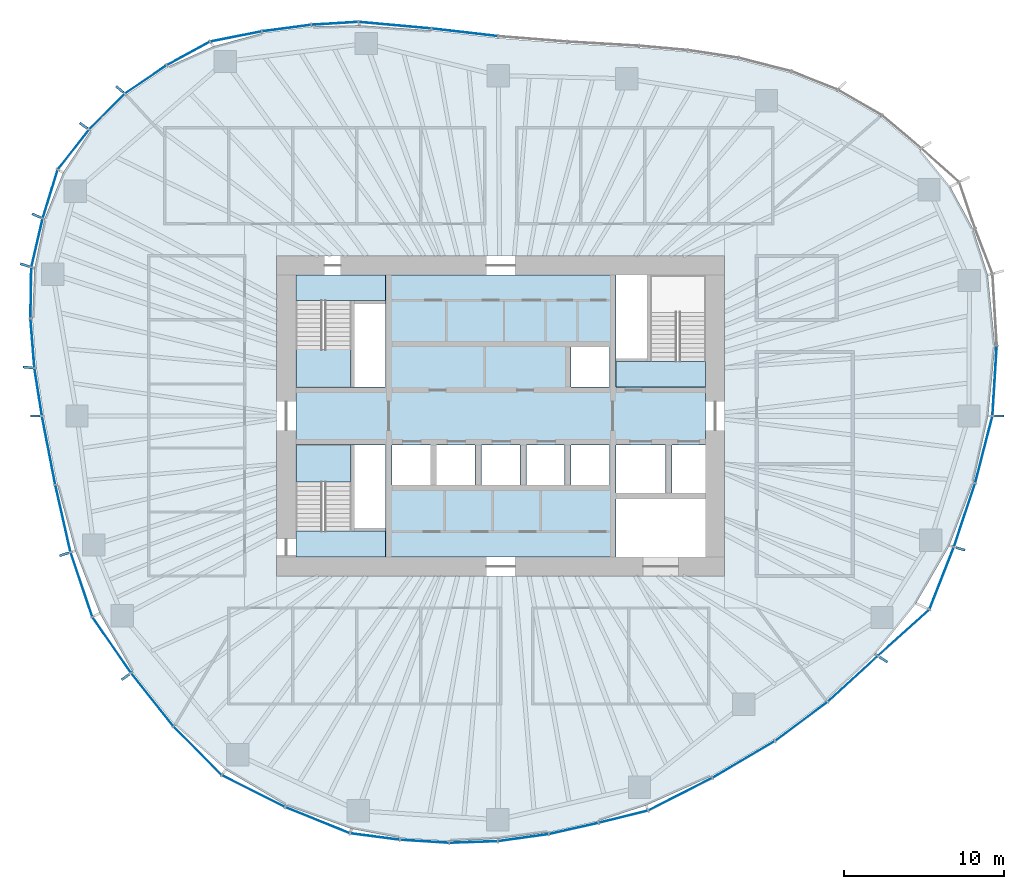
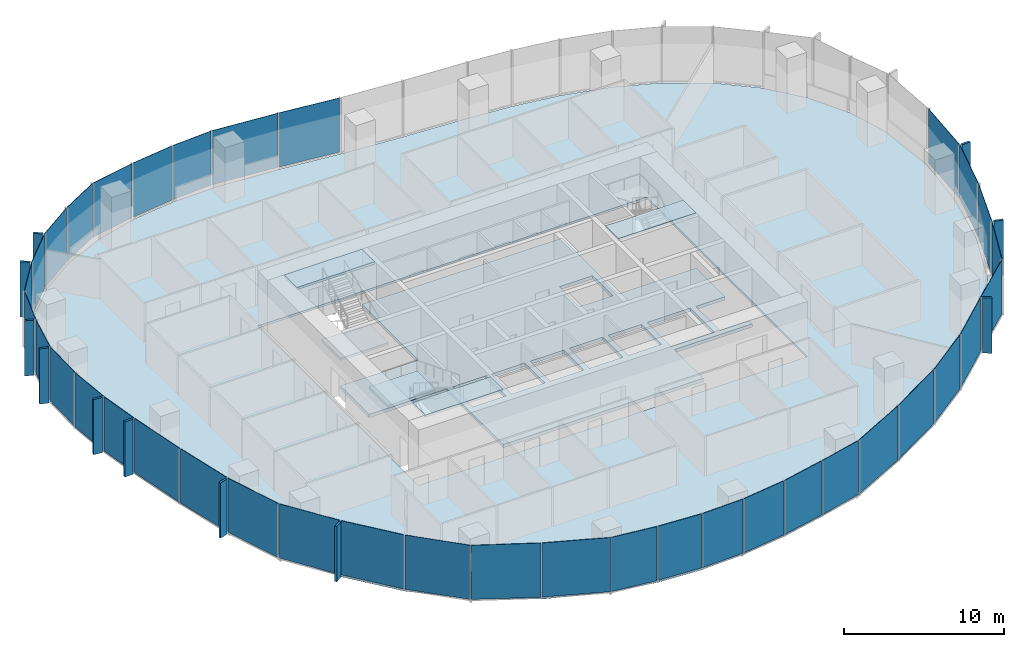
# One storey, part 7 of 18: 48 plates, 7 slabs, 19 elements without a shape of their own.
"""IFC4 building model written with IfcOpenShell, lengths in metres."""

from ifc_helpers import new_model, si_unit, direction, frame, origin, origin_2d, place, context, subcontext, project, spatial, polyline, rectangle, outline, extrude, material, layer, layer_set, type_object, element, aggregate, save


model = new_model("IFC4")

# Units and contexts
model_context = context("Model", 3, precision=1e-05, world=origin(), true_north=direction((0.0, 1.0)))
body_context = subcontext(model_context, "Body", "Model", "MODEL_VIEW")
ifc_project = project(units=[si_unit("LENGTHUNIT", "METRE"), si_unit("AREAUNIT", "SQUARE_METRE"), si_unit("VOLUMEUNIT", "CUBIC_METRE"), si_unit("PLANEANGLEUNIT", "RADIAN"), si_unit("MASSUNIT", "GRAM", prefix="KILO")], contexts=[model_context])

# Site, building, storey
site_placement = place(None, origin())
site = spatial("IfcSite", under=ifc_project, at=site_placement, CompositionType="ELEMENT")
building_placement = place(site_placement, origin())
building = spatial("IfcBuilding", under=site, at=building_placement, Name="Ghaith Harvest Tower", CompositionType="ELEMENT")
storey_placement = place(building_placement, frame((0.0, 0.0, 172.199951171875)))
storey = spatial("IfcBuildingStorey", under=building, at=storey_placement, Name="L37", CompositionType="ELEMENT", Elevation=172.199951171875)

# Curtain wall, plate
ifc_material_1 = material(Name="Black anodised aluminium and fritted glass", Category="aluminium")
curtain_wall_type = type_object("IfcCurtainWallType", Name="CW-L CURTAIN WALL", PredefinedType="NOTDEFINED", material=ifc_material_1)
curtain_wall_1_placement = place(storey_placement, origin())
curtain_wall_1 = element("IfcCurtainWall", 1, at=curtain_wall_1_placement, inside=storey, type_object=curtain_wall_type, Name="Curtain wall CW-L bay 01 L37", PredefinedType="NOTDEFINED")
ifc_material_2 = material(Name="Glass, dark solar-control fritted double glazed unit", Category="glass")
ifc_layer_1 = layer(ifc_material_2, 0.031982421875)
ifc_layer_set_1 = layer_set([ifc_layer_1], Name="CW-L VISION PANEL")
plate_type_1 = type_object("IfcPlateType", Name="CW-L VISION PANEL", PredefinedType="CURTAIN_PANEL", material=ifc_layer_set_1)
plate_1_placement = place(storey_placement, frame((30.86376953125, 2.19482421875, 0.080078125), z_axis=(0.0, 0.0, 1.0), x_axis=(0.061379619468, 0.99811449359, 0.0)))
plate_1 = element("IfcPlate", 2, at=plate_1_placement, type_object=plate_type_1, Name="CW-L glass unit 1 bay 01 L37", PredefinedType="CURTAIN_PANEL", context=body_context, shape_type="SweptSolid", body=[
    extrude(rectangle(XDim=4.318115234375, YDim=0.031982421875, at=origin_2d()), origin(), (0.0, 0.0, 1.0), 4.1201171875),
])
aggregate(curtain_wall_1, [plate_1])

# Curtain wall, plates
curtain_wall_2_placement = place(storey_placement, origin())
curtain_wall_2 = element("IfcCurtainWall", 3, at=curtain_wall_2_placement, inside=storey, type_object=curtain_wall_type, Name="Curtain wall CW-L bay 06 L37", PredefinedType="NOTDEFINED")
plate_2_placement = place(storey_placement, frame((-2.24267578125, 23.968505859375, 0.080078125), z_axis=(0.0, 0.0, 1.0), x_axis=(-0.993477024646, 0.114032458099, 0.0)))
plate_2 = element("IfcPlate", 4, at=plate_2_placement, type_object=plate_type_1, Name="CW-L glass unit 1 bay 06 L37", PredefinedType="CURTAIN_PANEL", context=body_context, shape_type="SweptSolid", body=[
    extrude(rectangle(XDim=4.10791015625, YDim=0.031982421875, at=origin_2d()), origin(), (0.0, 0.0, 1.0), 4.1201171875),
])
plate_3_placement = place(storey_placement, frame((-6.607666015625, 24.4140625, 0.080078125), z_axis=(0.0, 0.0, 1.0), x_axis=(-0.995928776302, 0.090143621701, 0.0)))
plate_3 = element("IfcPlate", 5, at=plate_3_placement, type_object=plate_type_1, Name="CW-L glass unit 2 bay 06 L37", PredefinedType="CURTAIN_PANEL", context=body_context, shape_type="SweptSolid", body=[
    extrude(rectangle(XDim=4.508056640625, YDim=0.031982421875, at=origin_2d()), origin(), (0.0, 0.0, 1.0), 4.1201171875),
])
aggregate(curtain_wall_2, [plate_2, plate_3])

curtain_wall_3_placement = place(storey_placement, origin())
curtain_wall_3 = element("IfcCurtainWall", 6, at=curtain_wall_3_placement, inside=storey, type_object=curtain_wall_type, Name="Curtain wall CW-L bay 07 L37", PredefinedType="NOTDEFINED")
plate_4_placement = place(storey_placement, frame((-10.36669921875, 24.5302734375, 0.080078125), z_axis=(0.0, 0.0, 1.0), x_axis=(-0.998119199641, -0.061303044853, 0.0)))
plate_4 = element("IfcPlate", 7, at=plate_4_placement, type_object=plate_type_1, Name="CW-L glass unit 1 bay 07 L37", PredefinedType="CURTAIN_PANEL", context=body_context, shape_type="SweptSolid", body=[
    extrude(rectangle(XDim=2.874267578125, YDim=0.031982421875, at=origin_2d()), origin(), (0.0, 0.0, 1.0), 4.1201171875),
])
plate_5_placement = place(storey_placement, frame((-13.382568359375, 24.23486328125, 0.080078125), z_axis=(0.0, 0.0, 1.0), x_axis=(-0.991285895369, -0.131728029071, 0.0)))
plate_5 = element("IfcPlate", 8, at=plate_5_placement, type_object=plate_type_1, Name="CW-L glass unit 2 bay 07 L37", PredefinedType="CURTAIN_PANEL", context=body_context, shape_type="SweptSolid", body=[
    extrude(rectangle(XDim=3.02978515625, YDim=0.031982421875, at=origin_2d()), origin(), (0.0, 0.0, 1.0), 4.1201171875),
])
plate_6_placement = place(storey_placement, frame((-16.54443359375, 23.7099609375, 0.080078125), z_axis=(0.0, 0.0, 1.0), x_axis=(-0.981037550101, -0.193817763096, 0.0)))
plate_6 = element("IfcPlate", 9, at=plate_6_placement, type_object=plate_type_1, Name="CW-L glass unit 3 bay 07 L37", PredefinedType="CURTAIN_PANEL", context=body_context, shape_type="SweptSolid", body=[
    extrude(rectangle(XDim=3.22412109375, YDim=0.031982421875, at=origin_2d()), origin(), (0.0, 0.0, 1.0), 4.1201171875),
])
aggregate(curtain_wall_3, [plate_4, plate_5, plate_6])

curtain_wall_4_placement = place(storey_placement, origin())
curtain_wall_4 = element("IfcCurtainWall", 10, at=curtain_wall_4_placement, inside=storey, type_object=curtain_wall_type, Name="Curtain wall CW-L bay 08 L37", PredefinedType="NOTDEFINED")
plate_7_placement = place(storey_placement, frame((-19.520263671875, 22.650634765625, 0.080078125), z_axis=(0.0, 0.0, 1.0), x_axis=(-0.877940384665, -0.478769966659, 0.0)))
plate_7 = element("IfcPlate", 11, at=plate_7_placement, type_object=plate_type_1, Name="CW-L glass unit 1 bay 08 L37", PredefinedType="CURTAIN_PANEL", context=body_context, shape_type="SweptSolid", body=[
    extrude(rectangle(XDim=3.007080078125, YDim=0.031982421875, at=origin_2d()), origin(), (0.0, 0.0, 1.0), 4.1201171875),
])
plate_8_placement = place(storey_placement, frame((-22.182373046875, 21.025390625, 0.080078125), z_axis=(0.0, 0.0, 1.0), x_axis=(-0.827674847773, -0.561207935051, 0.0)))
plate_8 = element("IfcPlate", 12, at=plate_8_placement, type_object=plate_type_1, Name="CW-L glass unit 2 bay 08 L37", PredefinedType="CURTAIN_PANEL", context=body_context, shape_type="SweptSolid", body=[
    extrude(rectangle(XDim=3.078369140625, YDim=0.031982421875, at=origin_2d()), origin(), (0.0, 0.0, 1.0), 4.1201171875),
])
plate_9_placement = place(storey_placement, frame((-24.603759765625, 19.01708984375, 0.080078125), z_axis=(0.0, 0.0, 1.0), x_axis=(-0.704613943896, -0.709590861037, 0.0)))
plate_9 = element("IfcPlate", 13, at=plate_9_placement, type_object=plate_type_1, Name="CW-L glass unit 3 bay 08 L37", PredefinedType="CURTAIN_PANEL", context=body_context, shape_type="SweptSolid", body=[
    extrude(rectangle(XDim=3.0830078125, YDim=0.031982421875, at=origin_2d()), origin(), (0.0, 0.0, 1.0), 4.1201171875),
])
aggregate(curtain_wall_4, [plate_7, plate_8, plate_9])

curtain_wall_5_placement = place(storey_placement, origin())
curtain_wall_5 = element("IfcCurtainWall", 14, at=curtain_wall_5_placement, inside=storey, type_object=curtain_wall_type, Name="Curtain wall CW-L bay 09 L37", PredefinedType="NOTDEFINED")
plate_10_placement = place(storey_placement, frame((-26.69873046875, 16.644775390625, 0.080078125), z_axis=(0.0, 0.0, 1.0), x_axis=(-0.617140806324, -0.786852734106, 0.0)))
plate_10 = element("IfcPlate", 15, at=plate_10_placement, type_object=plate_type_1, Name="CW-L glass unit 1 bay 09 L37", PredefinedType="CURTAIN_PANEL", context=body_context, shape_type="SweptSolid", body=[
    extrude(rectangle(XDim=3.09765625, YDim=0.031982421875, at=origin_2d()), origin(), (0.0, 0.0, 1.0), 4.1201171875),
])
plate_11_placement = place(storey_placement, frame((-28.14794921875, 13.869140625, 0.080078125), z_axis=(0.0, 0.0, 1.0), x_axis=(-0.293802674087, -0.955866093498, 0.0)))
plate_11 = element("IfcPlate", 16, at=plate_11_placement, type_object=plate_type_1, Name="CW-L glass unit 2 bay 09 L37", PredefinedType="CURTAIN_PANEL", context=body_context, shape_type="SweptSolid", body=[
    extrude(rectangle(XDim=3.111328125, YDim=0.031982421875, at=origin_2d()), origin(), (0.0, 0.0, 1.0), 4.1201171875),
])
plate_12_placement = place(storey_placement, frame((-28.9716796875, 10.819091796875, 0.080078125), z_axis=(0.0, 0.0, 1.0), x_axis=(-0.226698962458, -0.973964876379, 0.0)))
plate_12 = element("IfcPlate", 17, at=plate_12_placement, type_object=plate_type_1, Name="CW-L glass unit 3 bay 09 L37", PredefinedType="CURTAIN_PANEL", context=body_context, shape_type="SweptSolid", body=[
    extrude(rectangle(XDim=3.05126953125, YDim=0.031982421875, at=origin_2d()), origin(), (0.0, 0.0, 1.0), 4.1201171875),
])
aggregate(curtain_wall_5, [plate_10, plate_11, plate_12])

curtain_wall_6_placement = place(storey_placement, origin())
curtain_wall_6 = element("IfcCurtainWall", 18, at=curtain_wall_6_placement, inside=storey, type_object=curtain_wall_type, Name="Curtain wall CW-L bay 10 L37", PredefinedType="NOTDEFINED")
plate_13_placement = place(storey_placement, frame((-29.352294921875, 7.695068359375, 0.080078125), z_axis=(0.0, 0.0, 1.0), x_axis=(-0.016034106433, -0.999871445452, 0.0)))
plate_13 = element("IfcPlate", 19, at=plate_13_placement, type_object=plate_type_1, Name="CW-L glass unit 1 bay 10 L37", PredefinedType="CURTAIN_PANEL", context=body_context, shape_type="SweptSolid", body=[
    extrude(rectangle(XDim=3.118408203125, YDim=0.031982421875, at=origin_2d()), origin(), (0.0, 0.0, 1.0), 4.1201171875),
])
plate_14_placement = place(storey_placement, frame((-29.25439453125, 4.54345703125, 0.080078125), z_axis=(0.0, 0.0, 1.0), x_axis=(0.079273335663, -0.996852917061, 0.0)))
plate_14 = element("IfcPlate", 20, at=plate_14_placement, type_object=plate_type_1, Name="CW-L glass unit 2 bay 10 L37", PredefinedType="CURTAIN_PANEL", context=body_context, shape_type="SweptSolid", body=[
    extrude(rectangle(XDim=3.035400390625, YDim=0.031982421875, at=origin_2d()), origin(), (0.0, 0.0, 1.0), 4.1201171875),
])
plate_15_placement = place(storey_placement, frame((-28.896240234375, 1.495361328125, 0.080078125), z_axis=(0.0, 0.0, 1.0), x_axis=(0.155172175389, -0.987887440949, 0.0)))
plate_15 = element("IfcPlate", 21, at=plate_15_placement, type_object=plate_type_1, Name="CW-L glass unit 3 bay 10 L37", PredefinedType="CURTAIN_PANEL", context=body_context, shape_type="SweptSolid", body=[
    extrude(rectangle(XDim=2.947265625, YDim=0.031982421875, at=origin_2d()), origin(), (0.0, 0.0, 1.0), 4.1201171875),
])
aggregate(curtain_wall_6, [plate_13, plate_14, plate_15])

curtain_wall_7_placement = place(storey_placement, origin())
curtain_wall_7 = element("IfcCurtainWall", 22, at=curtain_wall_7_placement, inside=storey, type_object=curtain_wall_type, Name="Curtain wall CW-L bay 11 L37", PredefinedType="NOTDEFINED")
plate_16_placement = place(storey_placement, frame((-28.24462890625, -2.152099609375, 0.080078125), z_axis=(0.0, 0.0, 1.0), x_axis=(0.190044913274, -0.981775397399, 0.0)))
plate_16 = element("IfcPlate", 23, at=plate_16_placement, type_object=plate_type_1, Name="CW-L glass unit 1 bay 11 L37", PredefinedType="CURTAIN_PANEL", context=body_context, shape_type="SweptSolid", body=[
    extrude(rectangle(XDim=4.303955078125, YDim=0.031982421875, at=origin_2d()), origin(), (0.0, 0.0, 1.0), 4.1201171875),
])
plate_17_placement = place(storey_placement, frame((-27.351806640625, -6.41064453125, 0.080078125), z_axis=(0.0, 0.0, 1.0), x_axis=(0.220483469245, -0.975390711351, 0.0)))
plate_17 = element("IfcPlate", 24, at=plate_17_placement, type_object=plate_type_1, Name="CW-L glass unit 2 bay 11 L37", PredefinedType="CURTAIN_PANEL", context=body_context, shape_type="SweptSolid", body=[
    extrude(rectangle(XDim=4.239501953125, YDim=0.031982421875, at=origin_2d()), origin(), (0.0, 0.0, 1.0), 4.1201171875),
])
aggregate(curtain_wall_7, [plate_16, plate_17])

curtain_wall_8_placement = place(storey_placement, origin())
curtain_wall_8 = element("IfcCurtainWall", 25, at=curtain_wall_8_placement, inside=storey, type_object=curtain_wall_type, Name="Curtain wall CW-L bay 12 L37", PredefinedType="NOTDEFINED")
plate_18_placement = place(storey_placement, frame((-26.194580078125, -10.537841796875, 0.080078125), z_axis=(0.0, 0.0, 1.0), x_axis=(0.319477383729, -0.947593901039, 0.0)))
plate_18 = element("IfcPlate", 26, at=plate_18_placement, type_object=plate_type_1, Name="CW-L glass unit 1 bay 12 L37", PredefinedType="CURTAIN_PANEL", context=body_context, shape_type="SweptSolid", body=[
    extrude(rectangle(XDim=4.184326171875, YDim=0.031982421875, at=origin_2d()), origin(), (0.0, 0.0, 1.0), 4.1201171875),
])
plate_19_placement = place(storey_placement, frame((-24.3017578125, -14.312255859375, 0.080078125), z_axis=(0.0, 0.0, 1.0), x_axis=(0.568347699633, -0.822788485774, 0.0)))
plate_19 = element("IfcPlate", 27, at=plate_19_placement, type_object=plate_type_1, Name="CW-L glass unit 2 bay 12 L37", PredefinedType="CURTAIN_PANEL", context=body_context, shape_type="SweptSolid", body=[
    extrude(rectangle(XDim=4.18359375, YDim=0.031982421875, at=origin_2d()), origin(), (0.0, 0.0, 1.0), 4.1201171875),
])
aggregate(curtain_wall_8, [plate_18, plate_19])

curtain_wall_9_placement = place(storey_placement, origin())
curtain_wall_9 = element("IfcCurtainWall", 28, at=curtain_wall_9_placement, inside=storey, type_object=curtain_wall_type, Name="Curtain wall CW-L bay 13 L37", PredefinedType="NOTDEFINED")
plate_20_placement = place(storey_placement, frame((-21.765625, -17.7314453125, 0.080078125), z_axis=(0.0, 0.0, 1.0), x_axis=(0.622507360482, -0.782613944513, 0.0)))
plate_20 = element("IfcPlate", 29, at=plate_20_placement, type_object=plate_type_1, Name="CW-L glass unit 1 bay 13 L37", PredefinedType="CURTAIN_PANEL", context=body_context, shape_type="SweptSolid", body=[
    extrude(rectangle(XDim=4.175537109375, YDim=0.031982421875, at=origin_2d()), origin(), (0.0, 0.0, 1.0), 4.1201171875),
])
plate_21_placement = place(storey_placement, frame((-18.935791015625, -20.920166015625, 0.080078125), z_axis=(0.0, 0.0, 1.0), x_axis=(0.702843151286, -0.711344856375, 0.0)))
plate_21 = element("IfcPlate", 30, at=plate_21_placement, type_object=plate_type_1, Name="CW-L glass unit 2 bay 13 L37", PredefinedType="CURTAIN_PANEL", context=body_context, shape_type="SweptSolid", body=[
    extrude(rectangle(XDim=4.203369140625, YDim=0.031982421875, at=origin_2d()), origin(), (0.0, 0.0, 1.0), 4.1201171875),
])
aggregate(curtain_wall_9, [plate_20, plate_21])

curtain_wall_10_placement = place(storey_placement, origin())
curtain_wall_10 = element("IfcCurtainWall", 31, at=curtain_wall_10_placement, inside=storey, type_object=curtain_wall_type, Name="Curtain wall CW-L bay 14 L37", PredefinedType="NOTDEFINED")
plate_22_placement = place(storey_placement, frame((-15.44677734375, -23.443115234375, 0.080078125), z_axis=(0.0, 0.0, 1.0), x_axis=(0.893062297869, -0.449933030712, 0.0)))
plate_22 = element("IfcPlate", 32, at=plate_22_placement, type_object=plate_type_1, Name="CW-L glass unit 1 bay 14 L37", PredefinedType="CURTAIN_PANEL", context=body_context, shape_type="SweptSolid", body=[
    extrude(rectangle(XDim=4.362548828125, YDim=0.031982421875, at=origin_2d()), origin(), (0.0, 0.0, 1.0), 4.1201171875),
])
plate_23_placement = place(storey_placement, frame((-11.441162109375, -25.260498046875, 0.080078125), z_axis=(0.0, 0.0, 1.0), x_axis=(0.927002522537, -0.375055093567, 0.0)))
plate_23 = element("IfcPlate", 33, at=plate_23_placement, type_object=plate_type_1, Name="CW-L glass unit 2 bay 14 L37", PredefinedType="CURTAIN_PANEL", context=body_context, shape_type="SweptSolid", body=[
    extrude(rectangle(XDim=4.282470703125, YDim=0.031982421875, at=origin_2d()), origin(), (0.0, 0.0, 1.0), 4.1201171875),
])
aggregate(curtain_wall_10, [plate_22, plate_23])

curtain_wall_11_placement = place(storey_placement, origin())
curtain_wall_11 = element("IfcCurtainWall", 34, at=curtain_wall_11_placement, inside=storey, type_object=curtain_wall_type, Name="Curtain wall CW-L bay 15 L37", PredefinedType="NOTDEFINED")
plate_24_placement = place(storey_placement, frame((-7.856689453125, -26.281005859375, 0.080078125), z_axis=(0.0, 0.0, 1.0), x_axis=(0.99172348392, -0.128392100386, 0.0)))
plate_24 = element("IfcPlate", 35, at=plate_24_placement, type_object=plate_type_1, Name="CW-L glass unit 1 bay 15 L37", PredefinedType="CURTAIN_PANEL", context=body_context, shape_type="SweptSolid", body=[
    extrude(rectangle(XDim=3.07080078125, YDim=0.031982421875, at=origin_2d()), origin(), (0.0, 0.0, 1.0), 4.1201171875),
])
plate_25_placement = place(storey_placement, frame((-4.7568359375, -26.57958984375, 0.080078125), z_axis=(0.0, 0.0, 1.0), x_axis=(0.998038280843, -0.062606628824, 0.0)))
plate_25 = element("IfcPlate", 36, at=plate_25_placement, type_object=plate_type_1, Name="CW-L glass unit 2 bay 15 L37", PredefinedType="CURTAIN_PANEL", context=body_context, shape_type="SweptSolid", body=[
    extrude(rectangle(XDim=3.001220703125, YDim=0.031982421875, at=origin_2d()), origin(), (0.0, 0.0, 1.0), 4.1201171875),
])
plate_26_placement = place(storey_placement, frame((-1.700439453125, -26.624755859375, 0.080078125), z_axis=(0.0, 0.0, 1.0), x_axis=(0.999431515426, 0.033714180603, 0.0)))
plate_26 = element("IfcPlate", 37, at=plate_26_placement, type_object=plate_type_1, Name="CW-L glass unit 3 bay 15 L37", PredefinedType="CURTAIN_PANEL", context=body_context, shape_type="SweptSolid", body=[
    extrude(rectangle(XDim=2.958984375, YDim=0.031982421875, at=origin_2d()), origin(), (0.0, 0.0, 1.0), 4.1201171875),
])
aggregate(curtain_wall_11, [plate_24, plate_25, plate_26])

curtain_wall_12_placement = place(storey_placement, origin())
curtain_wall_12 = element("IfcCurtainWall", 38, at=curtain_wall_12_placement, inside=storey, type_object=curtain_wall_type, Name="Curtain wall CW-L bay 16 L37", PredefinedType="NOTDEFINED")
plate_27_placement = place(storey_placement, frame((1.4140625, -26.3515625, 0.080078125), z_axis=(0.0, 0.0, 1.0), x_axis=(0.990448098003, 0.137886058621, 0.0)))
plate_27 = element("IfcPlate", 39, at=plate_27_placement, type_object=plate_type_1, Name="CW-L glass unit 1 bay 16 L37", PredefinedType="CURTAIN_PANEL", context=body_context, shape_type="SweptSolid", body=[
    extrude(rectangle(XDim=3.142578125, YDim=0.031982421875, at=origin_2d()), origin(), (0.0, 0.0, 1.0), 4.1201171875),
])
plate_28_placement = place(storey_placement, frame((4.565185546875, -25.77734375, 0.080078125), z_axis=(0.0, 0.0, 1.0), x_axis=(0.975341754172, 0.220699937852, 0.0)))
plate_28 = element("IfcPlate", 40, at=plate_28_placement, type_object=plate_type_1, Name="CW-L glass unit 2 bay 16 L37", PredefinedType="CURTAIN_PANEL", context=body_context, shape_type="SweptSolid", body=[
    extrude(rectangle(XDim=3.10888671875, YDim=0.031982421875, at=origin_2d()), origin(), (0.0, 0.0, 1.0), 4.1201171875),
])
plate_29_placement = place(storey_placement, frame((7.66845703125, -25.0400390625, 0.080078125), z_axis=(0.0, 0.0, 1.0), x_axis=(0.970384283801, 0.241566433413, 0.0)))
plate_29 = element("IfcPlate", 41, at=plate_29_placement, type_object=plate_type_1, Name="CW-L glass unit 3 bay 16 L37", PredefinedType="CURTAIN_PANEL", context=body_context, shape_type="SweptSolid", body=[
    extrude(rectangle(XDim=3.111083984375, YDim=0.031982421875, at=origin_2d()), origin(), (0.0, 0.0, 1.0), 4.1201171875),
])
aggregate(curtain_wall_12, [plate_27, plate_28, plate_29])

curtain_wall_13_placement = place(storey_placement, origin())
curtain_wall_13 = element("IfcCurtainWall", 42, at=curtain_wall_13_placement, inside=storey, type_object=curtain_wall_type, Name="Curtain wall CW-L bay 17 L37", PredefinedType="NOTDEFINED")
plate_30_placement = place(storey_placement, frame((11.220703125, -23.63427734375, 0.080078125), z_axis=(0.0, 0.0, 1.0), x_axis=(0.891126766056, 0.453754434489, 0.0)))
plate_30 = element("IfcPlate", 43, at=plate_30_placement, type_object=plate_type_1, Name="CW-L glass unit 1 bay 17 L37", PredefinedType="CURTAIN_PANEL", context=body_context, shape_type="SweptSolid", body=[
    extrude(rectangle(XDim=4.417236328125, YDim=0.031982421875, at=origin_2d()), origin(), (0.0, 0.0, 1.0), 4.1201171875),
])
plate_31_placement = place(storey_placement, frame((15.17822265625, -21.46484375, 0.080078125), z_axis=(0.0, 0.0, 1.0), x_axis=(0.861979497965, 0.506943137924, 0.0)))
plate_31 = element("IfcPlate", 44, at=plate_31_placement, type_object=plate_type_1, Name="CW-L glass unit 2 bay 17 L37", PredefinedType="CURTAIN_PANEL", context=body_context, shape_type="SweptSolid", body=[
    extrude(rectangle(XDim=4.453125, YDim=0.031982421875, at=origin_2d()), origin(), (0.0, 0.0, 1.0), 4.1201171875),
])
aggregate(curtain_wall_13, [plate_30, plate_31])

curtain_wall_14_placement = place(storey_placement, origin())
curtain_wall_14 = element("IfcCurtainWall", 45, at=curtain_wall_14_placement, inside=storey, type_object=curtain_wall_type, Name="Curtain wall CW-L bay 18 L37", PredefinedType="NOTDEFINED")
plate_32_placement = place(storey_placement, frame((18.78076171875, -19.08984375, 0.080078125), z_axis=(0.0, 0.0, 1.0), x_axis=(0.802462370117, 0.596702727115, 0.0)))
plate_32 = element("IfcPlate", 46, at=plate_32_placement, type_object=plate_type_1, Name="CW-L glass unit 1 bay 18 L37", PredefinedType="CURTAIN_PANEL", context=body_context, shape_type="SweptSolid", body=[
    extrude(rectangle(XDim=4.029541015625, YDim=0.031982421875, at=origin_2d()), origin(), (0.0, 0.0, 1.0), 4.1201171875),
])
plate_33_placement = place(storey_placement, frame((21.9951171875, -16.428955078125, 0.080078125), z_axis=(0.0, 0.0, 1.0), x_axis=(0.737201663563, 0.675672781189, 0.0)))
plate_33 = element("IfcPlate", 47, at=plate_33_placement, type_object=plate_type_1, Name="CW-L glass unit 2 bay 18 L37", PredefinedType="CURTAIN_PANEL", context=body_context, shape_type="SweptSolid", body=[
    extrude(rectangle(XDim=4.1669921875, YDim=0.031982421875, at=origin_2d()), origin(), (0.0, 0.0, 1.0), 4.1201171875),
])
aggregate(curtain_wall_14, [plate_32, plate_33])

curtain_wall_15_placement = place(storey_placement, origin())
curtain_wall_15 = element("IfcCurtainWall", 48, at=curtain_wall_15_placement, inside=storey, type_object=curtain_wall_type, Name="Curtain wall CW-L bay 19 L37", PredefinedType="NOTDEFINED")
plate_34_placement = place(storey_placement, frame((25.17333984375, -13.54345703125, 0.080078125), z_axis=(0.0, 0.0, 1.0), x_axis=(0.743493028761, 0.668743684968, 0.0)))
plate_34 = element("IfcPlate", 49, at=plate_34_placement, type_object=plate_type_1, Name="CW-L glass unit 1 bay 19 L37", PredefinedType="CURTAIN_PANEL", context=body_context, shape_type="SweptSolid", body=[
    extrude(rectangle(XDim=4.2587890625, YDim=0.031982421875, at=origin_2d()), origin(), (0.0, 0.0, 1.0), 4.1201171875),
])
plate_35_placement = place(storey_placement, frame((27.552978515625, -10.138916015625, 0.080078125), z_axis=(0.0, 0.0, 1.0), x_axis=(0.365226458984, 0.930918704108, 0.0)))
plate_35 = element("IfcPlate", 50, at=plate_35_placement, type_object=plate_type_1, Name="CW-L glass unit 2 bay 19 L37", PredefinedType="CURTAIN_PANEL", context=body_context, shape_type="SweptSolid", body=[
    extrude(rectangle(XDim=4.11767578125, YDim=0.031982421875, at=origin_2d()), origin(), (0.0, 0.0, 1.0), 4.1201171875),
])
aggregate(curtain_wall_15, [plate_34, plate_35])

curtain_wall_16_placement = place(storey_placement, origin())
curtain_wall_16 = element("IfcCurtainWall", 51, at=curtain_wall_16_placement, inside=storey, type_object=curtain_wall_type, Name="Curtain wall CW-L bay 20 L37", PredefinedType="NOTDEFINED")
plate_36_placement = place(storey_placement, frame((28.982666015625, -6.191650390625, 0.080078125), z_axis=(0.0, 0.0, 1.0), x_axis=(0.315708038084, 0.948856382541, 0.0)))
plate_36 = element("IfcPlate", 52, at=plate_36_placement, type_object=plate_type_1, Name="CW-L glass unit 1 bay 20 L37", PredefinedType="CURTAIN_PANEL", context=body_context, shape_type="SweptSolid", body=[
    extrude(rectangle(XDim=4.12158203125, YDim=0.031982421875, at=origin_2d()), origin(), (0.0, 0.0, 1.0), 4.1201171875),
])
plate_37_placement = place(storey_placement, frame((30.187255859375, -2.09912109375, 0.080078125), z_axis=(0.0, 0.0, 1.0), x_axis=(0.24974411022, 0.968311870944, 0.0)))
plate_37 = element("IfcPlate", 53, at=plate_37_placement, type_object=plate_type_1, Name="CW-L glass unit 2 bay 20 L37", PredefinedType="CURTAIN_PANEL", context=body_context, shape_type="SweptSolid", body=[
    extrude(rectangle(XDim=4.255615234375, YDim=0.031982421875, at=origin_2d()), origin(), (0.0, 0.0, 1.0), 4.1201171875),
])
aggregate(curtain_wall_16, [plate_36, plate_37])

# Slabs
ifc_material_3 = material(Name="Concrete C40/50", Category="concrete")
ifc_layer_2 = layer(ifc_material_3, 0.169921875)
ifc_layer_set_2 = layer_set([ifc_layer_2], Name="FLOOR SLAB 170")
slab_type_1 = type_object("IfcSlabType", Name="FLOOR SLAB 170", PredefinedType="FLOOR", material=ifc_layer_set_2)
slab_1_placement = place(storey_placement, frame((0.0, 0.0, -0.169921875)))
element("IfcSlab", 54, at=slab_1_placement, inside=storey, type_object=slab_type_1, Name="Floor slab L37", PredefinedType="FLOOR", context=body_context, shape_type="SweptSolid", body=[
    extrude(outline(polyline([(30.458740234375, 0.0), (30.8798828125, 4.373046875), (30.439208984375, 8.797607421875), (29.52294921875, 11.671875), (28.0888671875, 14.32568359375), (26.179443359375, 16.660888671875), (23.7275390625, 18.718017578125), (20.97998046875, 20.3056640625), (18.0849609375, 21.4462890625), (14.79833984375, 22.27978515625), (11.617919921875, 22.757080078125), (8.604736328125, 23.017333984375), (4.125732421875, 23.272705078125), (-0.16162109375, 23.609619140625), (-4.302001953125, 24.089111328125), (-8.814208984375, 24.404541015625), (-11.788818359375, 24.331787109375), (-14.860595703125, 23.927978515625), (-17.938232421875, 23.097412109375), (-20.79248046875, 21.82470703125), (-23.398193359375, 20.06103515625), (-25.61962890625, 17.826416015625), (-27.33837890625, 15.204833984375), (-28.506591796875, 12.29638671875), (-29.12646484375, 9.230712890625), (-29.260498046875, 6.07177734375), (-29.01171875, 2.978271484375), (-28.541259765625, 0.0), (-27.70947265625, -4.285888671875), (-26.580078125, -8.423583984375), (-25.046875, -12.32861328125), (-22.99169921875, -15.997802734375), (-20.35400390625, -19.31396484375), (-17.1728515625, -22.11181640625), (-13.4052734375, -24.33740234375), (-9.317138671875, -25.79638671875), (-6.2666015625, -26.366455078125), (-3.204833984375, -26.556884765625), (-0.180908203125, -26.423583984375), (2.99609375, -26.010009765625), (6.09228515625, -25.308837890625), (9.09423828125, -24.326904296875), (13.163818359375, -22.510498046875), (17.054443359375, -20.22412109375), (20.33935546875, -17.784912109375), (23.400390625, -14.89208984375), (25.94775390625, -11.714111328125), (28.03125, -8.1015625), (29.527099609375, -4.181396484375), (30.458740234375, 0.0)]), holes=[polyline([(-14.0, -10.0), (14.0, -10.0), (14.0, 10.0), (-14.0, 10.0), (-14.0, -10.0)])]), origin(), (0.0, 0.0, 1.0), 0.169921875),
])
ifc_material_4 = material(Name="Concrete C40/50", Category="concrete")
ifc_layer_3 = layer(ifc_material_4, 0.25)
ifc_layer_set_3 = layer_set([ifc_layer_3], Name="FLOOR SLAB 250")
slab_type_2 = type_object("IfcSlabType", Name="FLOOR SLAB 250", PredefinedType="FLOOR", material=ifc_layer_set_3)
slab_2_placement = place(storey_placement, frame((0.0, 0.0, -0.25)))
element("IfcSlab", 55, at=slab_2_placement, inside=storey, type_object=slab_type_2, Name="Core slab L37", PredefinedType="FLOOR", context=body_context, shape_type="SweptSolid", body=[
    extrude(outline(polyline([(-12.800048828125, 1.800048828125), (-7.199951171875, 1.800048828125), (-7.199951171875, 8.800048828125), (7.199951171875, 8.800048828125), (7.199951171875, 1.800048828125), (12.800048828125, 1.800048828125), (12.800048828125, -1.800048828125), (10.699951171875, -1.800048828125), (10.699951171875, -4.800048828125), (12.800048828125, -4.800048828125), (12.800048828125, -5.199951171875), (7.199951171875, -5.199951171875), (7.199951171875, -8.800048828125), (-7.199951171875, -8.800048828125), (-7.199951171875, -1.800048828125), (-12.800048828125, -1.800048828125), (-12.800048828125, 1.800048828125)]), holes=[polyline([(-4.39990234375, -4.300048828125), (-4.39990234375, -1.800048828125), (-6.800048828125, -1.800048828125), (-6.800048828125, -4.300048828125), (-4.39990234375, -4.300048828125)]), polyline([(-1.60009765625, -4.300048828125), (-1.60009765625, -1.800048828125), (-4.0, -1.800048828125), (-4.0, -4.300048828125), (-1.60009765625, -4.300048828125)]), polyline([(1.199951171875, -1.800048828125), (-1.199951171875, -1.800048828125), (-1.199951171875, -4.300048828125), (1.199951171875, -4.300048828125), (1.199951171875, -1.800048828125)]), polyline([(4.0, -4.300048828125), (4.0, -1.800048828125), (1.60009765625, -1.800048828125), (1.60009765625, -4.300048828125), (4.0, -4.300048828125)]), polyline([(10.300048828125, -4.800048828125), (10.300048828125, -1.800048828125), (7.199951171875, -1.800048828125), (7.199951171875, -4.800048828125), (10.300048828125, -4.800048828125)]), polyline([(6.800048828125, -1.800048828125), (4.39990234375, -1.800048828125), (4.39990234375, -4.300048828125), (6.800048828125, -4.300048828125), (6.800048828125, -1.800048828125)]), polyline([(6.800048828125, 1.800048828125), (6.800048828125, 4.300048828125), (4.39990234375, 4.300048828125), (4.39990234375, 1.800048828125), (6.800048828125, 1.800048828125)])]), origin(), (0.0, 0.0, 1.0), 0.25),
])

# Stair, slabs
ifc_material_5 = material(Name="Concrete C40/50, precast", Category="concrete")
stair_type = type_object("IfcStairType", Name="CORE STAIR 24R", PredefinedType="HALF_TURN_STAIR", material=ifc_material_5)
stair_1_placement = place(storey_placement, origin())
stair_1 = element("IfcStair", 56, at=stair_1_placement, inside=storey, type_object=stair_type, Name="Stair ST1 L37", PredefinedType="HALF_TURN_STAIR")
ifc_material_6 = material(Name="Concrete C40/50, precast", Category="concrete")
ifc_layer_4 = layer(ifc_material_6, 0.179931640625)
ifc_layer_set_4 = layer_set([ifc_layer_4], Name="STAIR LANDING 180")
slab_type_3 = type_object("IfcSlabType", Name="STAIR LANDING 180", PredefinedType="LANDING", material=ifc_layer_set_4)
slab_3_placement = place(storey_placement, frame((0.0, 0.0, 1.920166015625)))
slab_3 = element("IfcSlab", 57, at=slab_3_placement, type_object=slab_type_3, Name="ST1 landing 1", PredefinedType="LANDING", context=body_context, shape_type="SweptSolid", body=[
    extrude(outline(polyline([(-12.800048828125, 4.139892578125), (-12.800048828125, 1.77490234375), (-9.35009765625, 1.77490234375), (-9.35009765625, 4.139892578125), (-12.800048828125, 4.139892578125)])), origin(), (0.0, 0.0, 1.0), 0.179931640625),
])
slab_4_placement = place(storey_placement, frame((0.0, 0.0, 4.02001953125)))
slab_4 = element("IfcSlab", 58, at=slab_4_placement, type_object=slab_type_3, Name="ST1 landing 2", PredefinedType="LANDING", context=body_context, shape_type="SweptSolid", body=[
    extrude(outline(polyline([(-12.800048828125, 8.800048828125), (-12.800048828125, 7.199951171875), (-7.199951171875, 7.199951171875), (-7.199951171875, 8.800048828125), (-12.800048828125, 8.800048828125)])), origin(), (0.0, 0.0, 1.0), 0.179931640625),
])
aggregate(stair_1, [slab_3, slab_4])

stair_2_placement = place(storey_placement, origin())
stair_2 = element("IfcStair", 59, at=stair_2_placement, inside=storey, type_object=stair_type, Name="Stair ST3 L37", PredefinedType="HALF_TURN_STAIR")
slab_5_placement = place(storey_placement, frame((0.0, 0.0, 1.920166015625)))
slab_5 = element("IfcSlab", 60, at=slab_5_placement, type_object=slab_type_3, Name="ST3 landing 1", PredefinedType="LANDING", context=body_context, shape_type="SweptSolid", body=[
    extrude(outline(polyline([(-12.800048828125, -4.139892578125), (-12.800048828125, -1.77490234375), (-9.35009765625, -1.77490234375), (-9.35009765625, -4.139892578125), (-12.800048828125, -4.139892578125)])), origin(), (0.0, 0.0, 1.0), 0.179931640625),
])
slab_6_placement = place(storey_placement, frame((0.0, 0.0, 4.02001953125)))
slab_6 = element("IfcSlab", 61, at=slab_6_placement, type_object=slab_type_3, Name="ST3 landing 2", PredefinedType="LANDING", context=body_context, shape_type="SweptSolid", body=[
    extrude(outline(polyline([(-12.800048828125, -8.800048828125), (-12.800048828125, -7.199951171875), (-7.199951171875, -7.199951171875), (-7.199951171875, -8.800048828125), (-12.800048828125, -8.800048828125)])), origin(), (0.0, 0.0, 1.0), 0.179931640625),
])
aggregate(stair_2, [slab_5, slab_6])

# Stair, slab
stair_3_placement = place(storey_placement, origin())
stair_3 = element("IfcStair", 62, at=stair_3_placement, inside=storey, type_object=stair_type, Name="Stair ST2 L37", PredefinedType="HALF_TURN_STAIR")
slab_7_placement = place(storey_placement, frame((0.0, 0.0, 4.02001953125)))
slab_7 = element("IfcSlab", 63, at=slab_7_placement, type_object=slab_type_3, Name="ST2 landing 2", PredefinedType="LANDING", context=body_context, shape_type="SweptSolid", body=[
    extrude(outline(polyline([(12.800048828125, 1.800048828125), (12.800048828125, 3.39990234375), (7.199951171875, 3.39990234375), (7.199951171875, 1.800048828125), (12.800048828125, 1.800048828125)])), origin(), (0.0, 0.0, 1.0), 0.179931640625),
])
aggregate(stair_3, [slab_7])

# Plates
ifc_material_7 = material(Name="Glassfibre-reinforced concrete", Category="concrete")
ifc_layer_5 = layer(ifc_material_7, 0.14990234375)
ifc_layer_set_5 = layer_set([ifc_layer_5], Name="SUN-BREAKER FIN 600x150")
plate_type_2 = type_object("IfcPlateType", Name="SUN-BREAKER FIN 600x150", PredefinedType="USERDEFINED", material=ifc_layer_set_5)
for number, where, z_axis, x_axis, name in (
    (64, (31.148681640625, 0.0, 0.0), (0.0, 0.0, 1.0), (1.0, 0.0, 0.0), "Sun-breaker fin CW-L 1 bay 01 L37"),
    (65, (-23.808349609375, 20.41259765625, 0.0), (0.0, 0.0, 1.0), (-0.759169742643, 0.650892696115, 0.0), "Sun-breaker fin CW-L 3 bay 08 L37"),
    (66, (-26.06298828125, 18.134765625, 0.0), (0.0, 0.0, 1.0), (-0.820845486523, 0.571150319316, 0.0), "Sun-breaker fin CW-L 1 bay 09 L37"),
    (67, (-29.00244140625, 12.51025390625, 0.0), (0.0, 0.0, 1.0), (-0.918217993215, 0.396075392995, 0.0), "Sun-breaker fin CW-L 3 bay 09 L37"),
    (68, (-29.72705078125, 9.4208984375, 0.0), (0.0, 0.0, 1.0), (-0.953273219358, 0.302109531884, 0.0), "Sun-breaker fin CW-L 1 bay 10 L37"),
    (69, (-29.548828125, 3.033447265625, 0.0), (0.0, 0.0, 1.0), (-0.994771752973, 0.102123256344, 0.0), "Sun-breaker fin CW-L 3 bay 10 L37"),
    (70, (-29.081298828125, 0.0, 0.0), (0.0, 0.0, 1.0), (-1.0, -4.19e-10, 0.0), "Sun-breaker fin CW-L 1 bay 11 L37"),
    (71, (-27.276123046875, -8.644287109375, 0.0), (0.0, 0.0, 1.0), (-0.953273219416, -0.302109531701, 0.0), "Sun-breaker fin CW-L 1 bay 12 L37"),
    (72, (-23.434814453125, -16.30615234375, 0.0), (0.0, 0.0, 1.0), (-0.820845486622, -0.571150319173, 0.0), "Sun-breaker fin CW-L 1 bay 13 L37"),
    (73, (23.914794921875, -15.2197265625, 0.0), (0.0, 0.0, 1.0), (0.84364397137, -0.536903016913, 0.0), "Sun-breaker fin CW-L 1 bay 19 L37"),
    (74, (28.722900390625, -8.301513671875, 0.0), (0.0, 0.0, 1.0), (0.960680349932, -0.277656739976, 0.0), "Sun-breaker fin CW-L 1 bay 20 L37"),
):
    element("IfcPlate", number, at=place(storey_placement, frame(where, z_axis=z_axis, x_axis=x_axis)), inside=storey, type_object=plate_type_2, Name=name, ObjectType="SUN-BREAKER FIN", PredefinedType="USERDEFINED", context=body_context, shape_type="SweptSolid", body=[
        extrude(rectangle(XDim=0.60009765625, YDim=0.14990234375, at=origin_2d()), origin(), (0.0, 0.0, 1.0), 4.199951171875),
    ])

save(model, "model.ifc")
